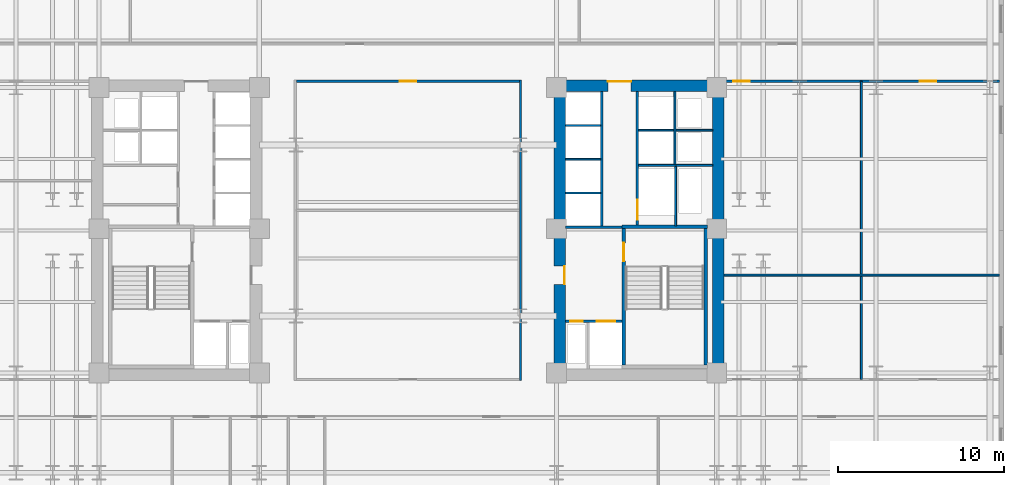
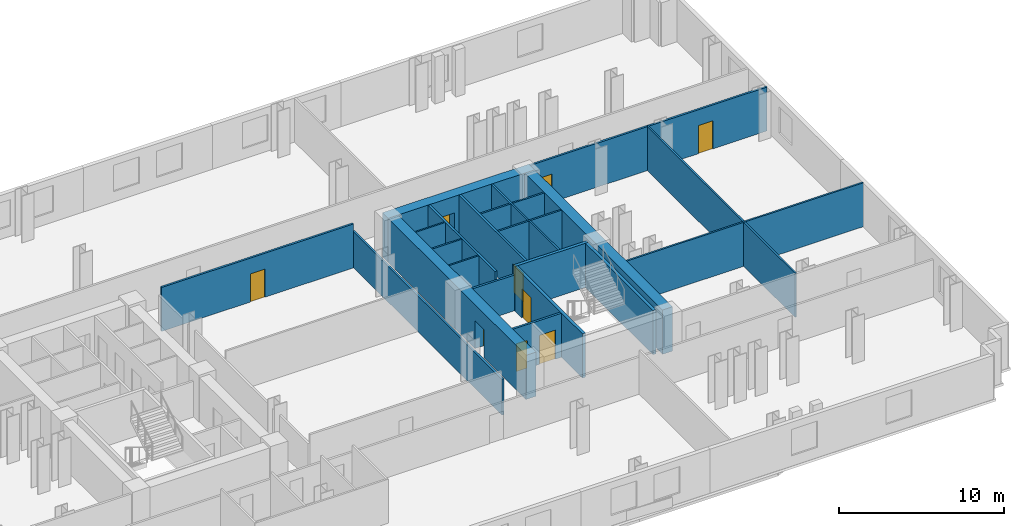
# One storey, part 6 of 10: 23 walls, 9 doors, 9 openings.
"""IFC4 building model written with IfcOpenShell, lengths in metres."""

from ifc_helpers import new_model, si_unit, direction, frame, frame_2d, origin, place, context, subcontext, project, spatial, rectangle, extrude, material, layer, layer_set, type_object, element, fill, save


model = new_model("IFC4")

# Units and contexts
model_context = context("Model", 3, precision=1e-05, world=origin(), true_north=direction((0.0, 1.0)))
body_context = subcontext(model_context, "Body", "Model", "MODEL_VIEW")
ifc_project = project(units=[si_unit("LENGTHUNIT", "METRE"), si_unit("AREAUNIT", "SQUARE_METRE"), si_unit("VOLUMEUNIT", "CUBIC_METRE"), si_unit("PLANEANGLEUNIT", "RADIAN"), si_unit("MASSUNIT", "GRAM", prefix="KILO")], contexts=[model_context])

# Site, building, storey
site_placement = place(None, origin())
site = spatial("IfcSite", under=ifc_project, at=site_placement, CompositionType="ELEMENT")
building_placement = place(site_placement, origin())
building = spatial("IfcBuilding", under=site, at=building_placement, Name="Velakula Bourse", CompositionType="ELEMENT")
storey_placement = place(building_placement, frame((0.0, 0.0, 38.10009765625)))
storey = spatial("IfcBuildingStorey", under=building, at=storey_placement, Name="L09", CompositionType="ELEMENT", Elevation=38.10009765625)

# Wall, opening, door
ifc_material_1 = material(Name="Concrete M50 (fck 50 MPa)", Category="concrete")
ifc_layer_1 = layer(ifc_material_1, 0.2099609375, Name="Concrete M50 (fck 50 MPa)", Category="concrete")
ifc_layer_set_1 = layer_set([ifc_layer_1], Name="Concrete M50 (fck 50 MPa)")
wall_type_1 = type_object("IfcWallType", Name="WL-CORE-210", PredefinedType="SHEAR", material=ifc_layer_set_1)
wall_1_placement = place(storey_placement, frame((12.9951171875, -8.10009765625, 0.0), z_axis=(0.0, 0.0, 1.0), x_axis=(0.0, 1.0, 0.0)))
wall_1 = element("IfcWall", 1, at=wall_1_placement, inside=storey, type_object=wall_type_1, Name="L09 Core E Stairwell Shear Wall IN", PredefinedType="SHEAR", context=body_context, shape_type="SweptSolid", body=[
    extrude(rectangle(XDim=8.2001953125, YDim=0.2099609375, at=frame_2d((4.10009765625, 0.0))), origin(), (0.0, 0.0, 1.0), 3.27001953125),
])
opening_1_placement = place(wall_1_placement, frame((6.25, 0.0, 0.0)))
opening_1 = element("IfcOpeningElement", 2, at=opening_1_placement, cuts=wall_1, Name="Opening D-STE1", PredefinedType="OPENING", context=body_context, shape_type="SweptSolid", body=[
    extrude(rectangle(XDim=1.10009765625, YDim=2.14990234375, at=frame_2d((0.550048828125, 1.074951171875))), frame((0.0, 0.114990234375, 0.0), z_axis=(0.0, -1.0, 0.0), x_axis=(1.0, 0.0, 0.0)), (0.0, 0.0, 1.0), 0.22998046875),
])
ifc_material_2 = material(Name="Galvanised painted hollow steel fire door", Category="steel")
door_type_1 = type_object("IfcDoorType", Name="DR-FD120-1100x2150", OperationType="NOTDEFINED", PredefinedType="DOOR", material=ifc_material_2)
door_1_placement = place(opening_1_placement, origin())
door_1 = element("IfcDoor", 3, at=door_1_placement, inside=storey, type_object=door_type_1, Name="L09 Stair ST-E1 Fire Door", OperationType="SINGLE_SWING_RIGHT", OverallHeight=2.14990234375, OverallWidth=1.10009765625, PredefinedType="DOOR", context=body_context, shape_type="SweptSolid", body=[
    extrude(rectangle(XDim=1.10009765625, YDim=2.14990234375, at=frame_2d((0.550048828125, 1.074951171875))), frame((0.0, 0.02490234375, 0.0), z_axis=(0.0, -1.0, 0.0), x_axis=(1.0, 0.0, 0.0)), (0.0, 0.0, 1.0), 0.050048828125),
])
fill(opening_1, door_1)

# Walls
wall_2_placement = place(storey_placement, frame((17.925048828125, -8.10009765625, 0.0), z_axis=(0.0, 0.0, 1.0), x_axis=(0.0, 1.0, 0.0)))
element("IfcWall", 4, at=wall_2_placement, inside=storey, type_object=wall_type_1, Name="L09 Core E Stairwell Shear Wall OUT", PredefinedType="SHEAR", context=body_context, shape_type="SweptSolid", body=[
    extrude(rectangle(XDim=8.2001953125, YDim=0.2099609375, at=frame_2d((4.10009765625, 0.0))), origin(), (0.0, 0.0, 1.0), 3.27001953125),
])
wall_3_placement = place(storey_placement, frame((18.030029296875, 0.205078125, 0.0), z_axis=(0.0, 0.0, 1.0), x_axis=(-1.0, 0.0, 0.0)))
element("IfcWall", 5, at=wall_3_placement, inside=storey, type_object=wall_type_1, Name="L09 Core E Stairwell Shear Wall N", PredefinedType="SHEAR", context=body_context, shape_type="SweptSolid", body=[
    extrude(rectangle(XDim=5.14013671875, YDim=0.2099609375, at=frame_2d((2.570068359375, 0.0))), origin(), (0.0, 0.0, 1.0), 3.27001953125),
])

# Wall, opening, door
ifc_material_3 = material(Name="Concrete M70 (fck 70 MPa)", Category="concrete")
ifc_layer_2 = layer(ifc_material_3, 0.699951171875, Name="Concrete M70 (fck 70 MPa)", Category="concrete")
ifc_layer_set_2 = layer_set([ifc_layer_2], Name="Concrete M70 (fck 70 MPa)")
wall_type_2 = type_object("IfcWallType", Name="WL-CORE-700", PredefinedType="SHEAR", material=ifc_layer_set_2)
wall_4_placement = place(storey_placement, frame((8.800048828125, 8.699951171875, 0.0), z_axis=(0.0, 0.0, 1.0), x_axis=(1.0, 0.0, 0.0)))
wall_4 = element("IfcWall", 6, at=wall_4_placement, inside=storey, type_object=wall_type_2, Name="L09 Core E Shear Wall N", PredefinedType="SHEAR", context=body_context, shape_type="SweptSolid", body=[
    extrude(rectangle(XDim=10.25, YDim=0.699951171875, at=frame_2d((5.125, 0.0))), origin(), (0.0, 0.0, 1.0), 3.27001953125),
])
opening_2_placement = place(wall_4_placement, frame((3.25, 0.0, 0.0)))
opening_2 = element("IfcOpeningElement", 7, at=opening_2_placement, cuts=wall_4, Name="Opening D-LLE", PredefinedType="OPENING", context=body_context, shape_type="SweptSolid", body=[
    extrude(rectangle(XDim=1.39990234375, YDim=2.050048828125, at=frame_2d((0.699951171875, 1.02490234375))), frame((0.0, 0.35986328125, 0.0), z_axis=(0.0, -1.0, 0.0), x_axis=(1.0, 0.0, 0.0)), (0.0, 0.0, 1.0), 0.719970703125),
])
ifc_material_4 = material(Name="Fire-rated hardwood flush architectural door", Category="wood")
door_type_2 = type_object("IfcDoorType", Name="DR-DBL-FD60-1400", OperationType="DOUBLE_DOOR_SINGLE_SWING", PredefinedType="DOOR", material=ifc_material_4)
door_2_placement = place(opening_2_placement, origin())
door_2 = element("IfcDoor", 8, at=door_2_placement, inside=storey, type_object=door_type_2, Name="L09 Core E Lift Lobby Corridor Double Door", OperationType="DOUBLE_DOOR_SINGLE_SWING", OverallHeight=2.050048828125, OverallWidth=1.39990234375, PredefinedType="DOOR", context=body_context, shape_type="SweptSolid", body=[
    extrude(rectangle(XDim=1.39990234375, YDim=2.050048828125, at=frame_2d((0.699951171875, 1.02490234375))), frame((0.0, 0.294921875, 0.0), z_axis=(0.0, -1.0, 0.0), x_axis=(1.0, 0.0, 0.0)), (0.0, 0.0, 1.0), 0.050048828125),
])
fill(opening_2, door_2)

wall_5_placement = place(storey_placement, frame((9.14990234375, -8.35009765625, 0.0), z_axis=(0.0, 0.0, 1.0), x_axis=(0.0, 1.0, 0.0)))
wall_5 = element("IfcWall", 9, at=wall_5_placement, inside=storey, type_object=wall_type_2, Name="L09 Core E Shear Wall W", PredefinedType="SHEAR", context=body_context, shape_type="SweptSolid", body=[
    extrude(rectangle(XDim=16.7001953125, YDim=0.699951171875, at=frame_2d((8.35009765625, 0.0))), origin(), (0.0, 0.0, 1.0), 3.27001953125),
])
opening_3_placement = place(wall_5_placement, frame((5.10009765625, 0.0, 0.0)))
opening_3 = element("IfcOpeningElement", 10, at=opening_3_placement, cuts=wall_5, Name="Opening D-FLE", PredefinedType="OPENING", context=body_context, shape_type="SweptSolid", body=[
    extrude(rectangle(XDim=1.10009765625, YDim=2.080078125, at=frame_2d((0.550048828125, 1.0400390625))), frame((0.0, 0.35986328125, 0.0), z_axis=(0.0, -1.0, 0.0), x_axis=(1.0, 0.0, 0.0)), (0.0, 0.0, 1.0), 0.719970703125),
])
door_type_3 = type_object("IfcDoorType", Name="DR-FD120-1100", OperationType="NOTDEFINED", PredefinedType="DOOR", material=ifc_material_2)
door_3_placement = place(opening_3_placement, origin())
door_3 = element("IfcDoor", 11, at=door_3_placement, inside=storey, type_object=door_type_3, Name="L09 Firefighting Lobby E Corridor Fire Door", OperationType="SINGLE_SWING_RIGHT", OverallHeight=2.080078125, OverallWidth=1.10009765625, PredefinedType="DOOR", context=body_context, shape_type="SweptSolid", body=[
    extrude(rectangle(XDim=1.10009765625, YDim=2.080078125, at=frame_2d((0.550048828125, 1.0400390625))), frame((0.0, -0.2548828125, 0.0), z_axis=(0.0, -1.0, 0.0), x_axis=(1.0, 0.0, 0.0)), (0.0, 0.0, 1.0), 0.050048828125),
])
fill(opening_3, door_3)

# Walls
wall_6_placement = place(storey_placement, frame((18.699951171875, -8.35009765625, 0.0), z_axis=(0.0, 0.0, 1.0), x_axis=(0.0, 1.0, 0.0)))
element("IfcWall", 12, at=wall_6_placement, inside=storey, type_object=wall_type_2, Name="L09 Core E Shear Wall E", PredefinedType="SHEAR", context=body_context, shape_type="SweptSolid", body=[
    extrude(rectangle(XDim=16.7001953125, YDim=0.699951171875, at=frame_2d((8.35009765625, 0.0))), origin(), (0.0, 0.0, 1.0), 3.27001953125),
])
ifc_material_5 = material(Name="Fire-rated double-layer gypsum drywall partition", Category="gypsum")
ifc_layer_3 = layer(ifc_material_5, 0.1201171875, Name="Fire-rated double-layer gypsum drywall partition", Category="gypsum")
ifc_layer_set_3 = layer_set([ifc_layer_3], Name="Fire-rated double-layer gypsum drywall partition")
wall_type_3 = type_object("IfcWallType", Name="WL-PART-120", PredefinedType="STANDARD", material=ifc_layer_set_3)
for number, where, z_axis, x_axis, name in (
    (13, (9.5, 2.2548828125, 0.0), (0.0, 0.0, 1.0), (1.0, 0.0, 0.0), "L09 Interior Partition WL-CRE-L09-BDIV-0"),
    (14, (9.5, 4.284912109375, 0.0), (0.0, 0.0, 1.0), (1.0, 0.0, 0.0), "L09 Interior Partition WL-CRE-L09-BDIV-1"),
    (15, (9.5, 6.31494140625, 0.0), (0.0, 0.0, 1.0), (1.0, 0.0, 0.0), "L09 Interior Partition WL-CRE-L09-BDIV-2"),
):
    element("IfcWall", number, at=place(storey_placement, frame(where, z_axis=z_axis, x_axis=x_axis)), inside=storey, type_object=wall_type_3, Name=name, PredefinedType="STANDARD", context=body_context, shape_type="SweptSolid", body=[
        extrude(rectangle(XDim=2.10009765625, YDim=0.110107421875, at=frame_2d((1.050048828125, 0.0))), origin(), (0.0, 0.0, 1.0), 3.25),
    ])
wall_7_placement = place(storey_placement, frame((13.89990234375, 3.919921875, 0.0), z_axis=(0.0, 0.0, 1.0), x_axis=(1.0, 0.0, 0.0)))
element("IfcWall", 16, at=wall_7_placement, inside=storey, type_object=wall_type_3, Name="L09 Interior Partition WL-CRE-L09-HI-S", PredefinedType="STANDARD", context=body_context, shape_type="SweptSolid", body=[
    extrude(rectangle(XDim=4.4501953125, YDim=0.1201171875, at=frame_2d((2.22509765625, 0.0))), origin(), (0.0, 0.0, 1.0), 3.25),
])
wall_8_placement = place(storey_placement, frame((16.14990234375, 6.030029296875, 0.0), z_axis=(0.0, 0.0, 1.0), x_axis=(1.0, 0.0, 0.0)))
element("IfcWall", 17, at=wall_8_placement, inside=storey, type_object=wall_type_3, Name="L09 Interior Partition WL-CRE-L09-RIS-MID", PredefinedType="STANDARD", context=body_context, shape_type="SweptSolid", body=[
    extrude(rectangle(XDim=2.2001953125, YDim=0.1201171875, at=frame_2d((1.10009765625, 0.0))), origin(), (0.0, 0.0, 1.0), 3.25),
])
wall_9_placement = place(storey_placement, frame((16.074951171875, 3.97998046875, 0.0), z_axis=(0.0, 0.0, 1.0), x_axis=(0.0, 1.0, 0.0)))
element("IfcWall", 18, at=wall_9_placement, inside=storey, type_object=wall_type_3, Name="L09 Interior Partition WL-CRE-L09-RIS-F", PredefinedType="STANDARD", context=body_context, shape_type="SweptSolid", body=[
    extrude(rectangle(XDim=4.3701171875, YDim=0.1201171875, at=frame_2d((2.18505859375, 0.0))), origin(), (0.0, 0.0, 1.0), 3.25),
])
wall_10_placement = place(storey_placement, frame((13.89990234375, 6.030029296875, 0.0), z_axis=(0.0, 0.0, 1.0), x_axis=(1.0, 0.0, 0.0)))
element("IfcWall", 19, at=wall_10_placement, inside=storey, type_object=wall_type_3, Name="L09 Interior Partition WL-CRE-L09-HI-DIV", PredefinedType="STANDARD", context=body_context, shape_type="SweptSolid", body=[
    extrude(rectangle(XDim=2.10009765625, YDim=0.1201171875, at=frame_2d((1.050048828125, 0.0))), origin(), (0.0, 0.0, 1.0), 3.25),
])
wall_11_placement = place(storey_placement, frame((16.125, 0.27001953125, 0.0), z_axis=(0.0, 0.0, 1.0), x_axis=(0.0, 1.0, 0.0)))
element("IfcWall", 20, at=wall_11_placement, inside=storey, type_object=wall_type_3, Name="L09 Interior Partition WL-CRE-L09-SVL-E", PredefinedType="STANDARD", context=body_context, shape_type="SweptSolid", body=[
    extrude(rectangle(XDim=3.590087890625, YDim=0.1201171875, at=frame_2d((1.794921875, 0.0))), origin(), (0.0, 0.0, 1.0), 3.25),
])
wall_12_placement = place(storey_placement, frame((19.050048828125, -2.699951171875, 0.0), z_axis=(0.0, 0.0, 1.0), x_axis=(1.0, 0.0, 0.0)))
element("IfcWall", 21, at=wall_12_placement, inside=storey, type_object=wall_type_3, Name="L09 Interior Partition WL-INT-L09-E-H", PredefinedType="STANDARD", context=body_context, shape_type="SweptSolid", body=[
    extrude(rectangle(XDim=16.570068359375, YDim=0.1201171875, at=frame_2d((8.28515625, 0.0))), origin(), (0.0, 0.0, 1.0), 3.25),
])
wall_13_placement = place(storey_placement, frame((27.304931640625, -8.97998046875, 0.0), z_axis=(0.0, 0.0, 1.0), x_axis=(0.0, 1.0, 0.0)))
element("IfcWall", 22, at=wall_13_placement, inside=storey, type_object=wall_type_3, Name="L09 Interior Partition WL-INT-L09-E-V1", PredefinedType="STANDARD", context=body_context, shape_type="SweptSolid", body=[
    extrude(rectangle(XDim=17.9599609375, YDim=0.1201171875, at=frame_2d((8.97998046875, 0.0))), origin(), (0.0, 0.0, 1.0), 3.25),
])

# Wall, openings, doors
ifc_layer_4 = layer(ifc_material_5, 0.139892578125, Name="Fire-rated double-layer gypsum drywall partition", Category="gypsum")
ifc_layer_set_4 = layer_set([ifc_layer_4], Name="Fire-rated double-layer gypsum drywall partition")
wall_type_4 = type_object("IfcWallType", Name="WL-PART-140", PredefinedType="STANDARD", material=ifc_layer_set_4)
wall_14_placement = place(storey_placement, frame((19.050048828125, 8.97998046875, 0.0), z_axis=(0.0, 0.0, 1.0), x_axis=(1.0, 0.0, 0.0)))
wall_14 = element("IfcWall", 23, at=wall_14_placement, inside=storey, type_object=wall_type_4, Name="L09 Interior Partition WL-INT-L09-E-NC", PredefinedType="STANDARD", context=body_context, shape_type="SweptSolid", body=[
    extrude(rectangle(XDim=16.570068359375, YDim=0.139892578125, at=frame_2d((8.28515625, 0.0))), origin(), (0.0, 0.0, 1.0), 3.25),
])
opening_4_placement = place(wall_14_placement, frame((0.534912109375, 0.0, 0.0)))
opening_4 = element("IfcOpeningElement", 24, at=opening_4_placement, cuts=wall_14, Name="Opening D-OF1", PredefinedType="OPENING", context=body_context, shape_type="SweptSolid", body=[
    extrude(rectangle(XDim=1.0, YDim=2.080078125, at=frame_2d((0.5, 1.0400390625))), frame((0.0, 0.079833984375, 0.0), z_axis=(0.0, -1.0, 0.0), x_axis=(1.0, 0.0, 0.0)), (0.0, 0.0, 1.0), 0.159912109375),
])
opening_5_placement = place(wall_14_placement, frame((11.782470703125, 0.0, 0.0)))
opening_5 = element("IfcOpeningElement", 25, at=opening_5_placement, cuts=wall_14, Name="Opening D-OF1", PredefinedType="OPENING", context=body_context, shape_type="SweptSolid", body=[
    extrude(rectangle(XDim=1.0, YDim=2.080078125, at=frame_2d((0.5, 1.0400390625))), frame((0.0, 0.079833984375, 0.0), z_axis=(0.0, -1.0, 0.0), x_axis=(1.0, 0.0, 0.0)), (0.0, 0.0, 1.0), 0.159912109375),
])
door_type_4 = type_object("IfcDoorType", Name="DR-OFF-1000", OperationType="NOTDEFINED", PredefinedType="DOOR", material=ifc_material_4)
door_4_placement = place(opening_4_placement, origin())
door_4 = element("IfcDoor", 26, at=door_4_placement, inside=storey, type_object=door_type_4, Name="L09 Legal Counsel Office Door", OperationType="SINGLE_SWING_LEFT", OverallHeight=2.080078125, OverallWidth=1.0, PredefinedType="DOOR", context=body_context, shape_type="SweptSolid", body=[
    extrude(rectangle(XDim=1.0, YDim=2.080078125, at=frame_2d((0.5, 1.0400390625))), frame((0.0, 0.02490234375, 0.0), z_axis=(0.0, -1.0, 0.0), x_axis=(1.0, 0.0, 0.0)), (0.0, 0.0, 1.0), 0.050048828125),
])
fill(opening_4, door_4)
door_5_placement = place(opening_5_placement, origin())
door_5 = element("IfcDoor", 27, at=door_5_placement, inside=storey, type_object=door_type_4, Name="L09 Listing Committee Chamber Door", OperationType="SINGLE_SWING_RIGHT", OverallHeight=2.080078125, OverallWidth=1.0, PredefinedType="DOOR", context=body_context, shape_type="SweptSolid", body=[
    extrude(rectangle(XDim=1.0, YDim=2.080078125, at=frame_2d((0.5, 1.0400390625))), frame((0.0, 0.02490234375, 0.0), z_axis=(0.0, -1.0, 0.0), x_axis=(1.0, 0.0, 0.0)), (0.0, 0.0, 1.0), 0.050048828125),
])
fill(opening_5, door_5)

# Wall
wall_15_placement = place(storey_placement, frame((6.780029296875, -9.050048828125, 0.0), z_axis=(0.0, 0.0, 1.0), x_axis=(0.0, 1.0, 0.0)))
element("IfcWall", 28, at=wall_15_placement, inside=storey, type_object=wall_type_4, Name="L09 Interior Partition WL-INT-L09-MID-E", PredefinedType="STANDARD", context=body_context, shape_type="SweptSolid", body=[
    extrude(rectangle(XDim=18.10009765625, YDim=0.139892578125, at=frame_2d((9.050048828125, 0.0))), origin(), (0.0, 0.0, 1.0), 2.64501953125),
])

# Wall, opening, door
wall_16_placement = place(storey_placement, frame((-6.7099609375, 8.97998046875, 0.0), z_axis=(0.0, 0.0, 1.0), x_axis=(1.0, 0.0, 0.0)))
wall_16 = element("IfcWall", 29, at=wall_16_placement, inside=storey, type_object=wall_type_4, Name="L09 Interior Partition WL-INT-L09-MID-N", PredefinedType="STANDARD", context=body_context, shape_type="SweptSolid", body=[
    extrude(rectangle(XDim=13.419921875, YDim=0.139892578125, at=frame_2d((6.7099609375, 0.0))), origin(), (0.0, 0.0, 1.0), 3.25),
])
opening_6_placement = place(wall_16_placement, frame((6.2099609375, 0.0, 0.0)))
opening_6 = element("IfcOpeningElement", 30, at=opening_6_placement, cuts=wall_16, Name="Opening D-OF1", PredefinedType="OPENING", context=body_context, shape_type="SweptSolid", body=[
    extrude(rectangle(XDim=1.0, YDim=2.080078125, at=frame_2d((0.5, 1.0400390625))), frame((0.0, 0.079833984375, 0.0), z_axis=(0.0, -1.0, 0.0), x_axis=(1.0, 0.0, 0.0)), (0.0, 0.0, 1.0), 0.159912109375),
])
door_6_placement = place(opening_6_placement, origin())
door_6 = element("IfcDoor", 31, at=door_6_placement, inside=storey, type_object=door_type_4, Name="L09 Central Boardroom North Door", OperationType="SINGLE_SWING_RIGHT", OverallHeight=2.080078125, OverallWidth=1.0, PredefinedType="DOOR", context=body_context, shape_type="SweptSolid", body=[
    extrude(rectangle(XDim=1.0, YDim=2.080078125, at=frame_2d((0.5, 1.0400390625))), frame((0.0, 0.02490234375, 0.0), z_axis=(0.0, -1.0, 0.0), x_axis=(1.0, 0.0, 0.0)), (0.0, 0.0, 1.0), 0.050048828125),
])
fill(opening_6, door_6)

# Wall, openings, doors
ifc_material_6 = material(Name="Autoclaved aerated concrete blockwork masonry", Category="masonry")
ifc_layer_5 = layer(ifc_material_6, 0.14990234375, Name="Autoclaved aerated concrete blockwork masonry", Category="masonry")
ifc_layer_set_5 = layer_set([ifc_layer_5], Name="Autoclaved aerated concrete blockwork masonry")
wall_type_5 = type_object("IfcWallType", Name="WL-SHAFT-150", PredefinedType="STANDARD", material=ifc_layer_set_5)
wall_17_placement = place(storey_placement, frame((9.5, -5.47509765625, 0.0), z_axis=(0.0, 0.0, 1.0), x_axis=(1.0, 0.0, 0.0)))
wall_17 = element("IfcWall", 32, at=wall_17_placement, inside=storey, type_object=wall_type_5, Name="L09 Interior Partition WL-CRE-L09-FFL-N", PredefinedType="STANDARD", context=body_context, shape_type="SweptSolid", body=[
    extrude(rectangle(XDim=3.39501953125, YDim=0.14990234375, at=frame_2d((1.697509765625, 0.0))), origin(), (0.0, 0.0, 1.0), 3.25),
])
opening_7_placement = place(wall_17_placement, frame((1.875, 0.0, 0.0)))
opening_7 = element("IfcOpeningElement", 33, at=opening_7_placement, cuts=wall_17, Name="Opening LD-FFL-2", PredefinedType="OPENING", context=body_context, shape_type="SweptSolid", body=[
    extrude(rectangle(XDim=1.10009765625, YDim=2.14990234375, at=frame_2d((0.550048828125, 1.074951171875))), frame((0.0, 0.0849609375, 0.0), z_axis=(0.0, -1.0, 0.0), x_axis=(1.0, 0.0, 0.0)), (0.0, 0.0, 1.0), 0.169921875),
])
opening_8_placement = place(wall_17_placement, frame((0.27490234375, 0.0, 0.0)))
opening_8 = element("IfcOpeningElement", 34, at=opening_8_placement, cuts=wall_17, Name="Opening D-RS1", PredefinedType="OPENING", context=body_context, shape_type="SweptSolid", body=[
    extrude(rectangle(XDim=0.75, YDim=2.050048828125, at=frame_2d((0.375, 1.02490234375))), frame((0.0, 0.0849609375, 0.0), z_axis=(0.0, -1.0, 0.0), x_axis=(1.0, 0.0, 0.0)), (0.0, 0.0, 1.0), 0.169921875),
])
door_type_5 = type_object("IfcDoorType", Name="DR-RISER-800", OperationType="NOTDEFINED", PredefinedType="DOOR", material=ifc_material_2)
door_7_placement = place(opening_8_placement, origin())
door_7 = element("IfcDoor", 35, at=door_7_placement, inside=storey, type_object=door_type_5, Name="L09 Fire Riser Access Door", OperationType="SINGLE_SWING_LEFT", OverallHeight=2.050048828125, OverallWidth=0.75, PredefinedType="DOOR", context=body_context, shape_type="SweptSolid", body=[
    extrude(rectangle(XDim=0.75, YDim=2.050048828125, at=frame_2d((0.375, 1.02490234375))), frame((0.0, 0.02490234375, 0.0), z_axis=(0.0, -1.0, 0.0), x_axis=(1.0, 0.0, 0.0)), (0.0, 0.0, 1.0), 0.050048828125),
])
fill(opening_8, door_7)
ifc_material_7 = material(Name="Brushed grade 316 stainless steel", Category="steel")
door_type_6 = type_object("IfcDoorType", Name="DR-SLIDE-FFL-1100", OperationType="DOUBLE_DOOR_SLIDING", PredefinedType="DOOR", material=ifc_material_7)
door_8_placement = place(opening_7_placement, origin())
door_8 = element("IfcDoor", 36, at=door_8_placement, inside=storey, type_object=door_type_6, Name="L09 Firefighting Lift FFL-2 Sliding Landing Door", OperationType="DOUBLE_DOOR_SLIDING", OverallHeight=2.14990234375, OverallWidth=1.10009765625, PredefinedType="DOOR", context=body_context, shape_type="SweptSolid", body=[
    extrude(rectangle(XDim=1.10009765625, YDim=2.14990234375, at=frame_2d((0.550048828125, 1.074951171875))), frame((0.0, 0.02490234375, 0.0), z_axis=(0.0, -1.0, 0.0), x_axis=(1.0, 0.0, 0.0)), (0.0, 0.0, 1.0), 0.050048828125),
])
fill(opening_7, door_8)

# Walls
wall_18_placement = place(storey_placement, frame((9.5, 0.18994140625, 0.0), z_axis=(0.0, 0.0, 1.0), x_axis=(1.0, 0.0, 0.0)))
element("IfcWall", 37, at=wall_18_placement, inside=storey, type_object=wall_type_5, Name="L09 Interior Partition WL-CRE-L09-FF-TOP", PredefinedType="STANDARD", context=body_context, shape_type="SweptSolid", body=[
    extrude(rectangle(XDim=3.389892578125, YDim=0.14990234375, at=frame_2d((1.69482421875, 0.0))), origin(), (0.0, 0.0, 1.0), 2.64501953125),
])
wall_19_placement = place(storey_placement, frame((11.675048828125, 0.27001953125, 0.0), z_axis=(0.0, 0.0, 1.0), x_axis=(0.0, 1.0, 0.0)))
element("IfcWall", 38, at=wall_19_placement, inside=storey, type_object=wall_type_5, Name="L09 Interior Partition WL-CRE-L09-BANK-F", PredefinedType="STANDARD", context=body_context, shape_type="SweptSolid", body=[
    extrude(rectangle(XDim=8.080078125, YDim=0.14990234375, at=frame_2d((4.0400390625, 0.0))), origin(), (0.0, 0.0, 1.0), 3.25),
])

# Wall, opening, door
wall_20_placement = place(storey_placement, frame((13.824951171875, 0.27001953125, 0.0), z_axis=(0.0, 0.0, 1.0), x_axis=(0.0, 1.0, 0.0)))
wall_20 = element("IfcWall", 39, at=wall_20_placement, inside=storey, type_object=wall_type_5, Name="L09 Interior Partition WL-CRE-L09-OUT-F", PredefinedType="STANDARD", context=body_context, shape_type="SweptSolid", body=[
    extrude(rectangle(XDim=8.080078125, YDim=0.14990234375, at=frame_2d((4.0400390625, 0.0))), origin(), (0.0, 0.0, 1.0), 3.25),
])
opening_9_placement = place(wall_20_placement, frame((0.3798828125, 0.0, 0.0)))
opening_9 = element("IfcOpeningElement", 40, at=opening_9_placement, cuts=wall_20, Name="Opening LD-SVL1", PredefinedType="OPENING", context=body_context, shape_type="SweptSolid", body=[
    extrude(rectangle(XDim=1.199951171875, YDim=2.10009765625, at=frame_2d((0.60009765625, 1.050048828125))), frame((0.0, 0.0849609375, 0.0), z_axis=(0.0, -1.0, 0.0), x_axis=(1.0, 0.0, 0.0)), (0.0, 0.0, 1.0), 0.169921875),
])
door_type_7 = type_object("IfcDoorType", Name="DR-SLIDE-LD-1200", OperationType="DOUBLE_DOOR_SLIDING", PredefinedType="DOOR", material=ifc_material_7)
door_9_placement = place(opening_9_placement, origin())
door_9 = element("IfcDoor", 41, at=door_9_placement, inside=storey, type_object=door_type_7, Name="L09 Service Lift SVL-1 Sliding Landing Door", OperationType="DOUBLE_DOOR_SLIDING", OverallHeight=2.10009765625, OverallWidth=1.199951171875, PredefinedType="DOOR", context=body_context, shape_type="SweptSolid", body=[
    extrude(rectangle(XDim=1.199951171875, YDim=2.10009765625, at=frame_2d((0.60009765625, 1.050048828125))), frame((0.0, 0.02490234375, 0.0), z_axis=(0.0, -1.0, 0.0), x_axis=(1.0, 0.0, 0.0)), (0.0, 0.0, 1.0), 0.050048828125),
])
fill(opening_9, door_9)

save(model, "model.ifc")
